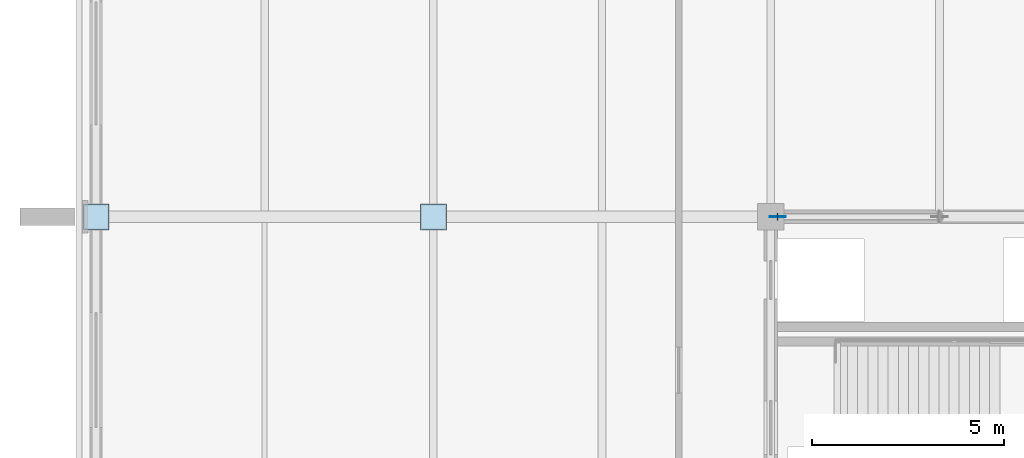
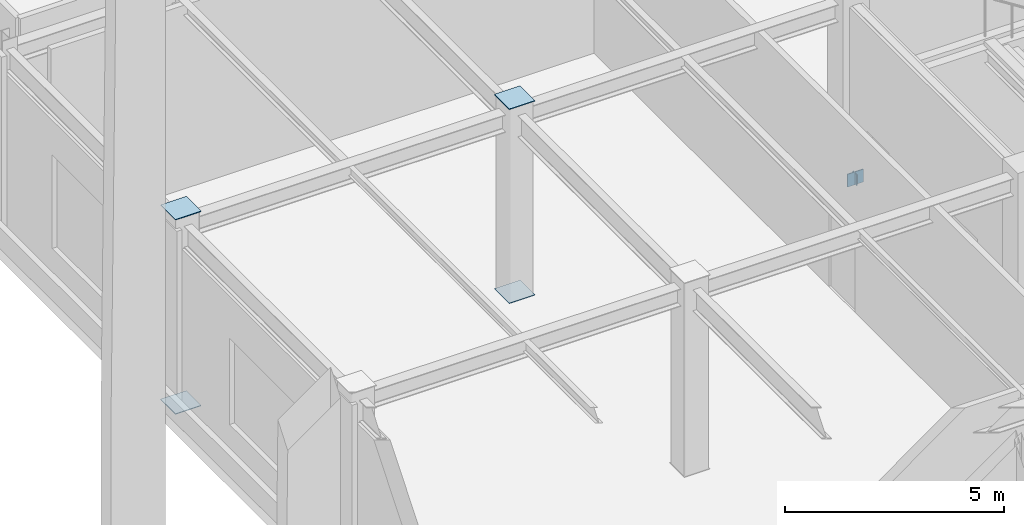
# One storey, part 78 of 119: 6 plates.
"""IFC4 building model written with IfcOpenShell, lengths in metres."""

import ifcopenshell
import ifcopenshell.guid

model = None  # the IFC model being written
_history = None  # IfcOwnerHistory: only IFC2X3 demands one
_inside = {}  # id of a spatial element -> (the spatial element, [elements in it])
_under = {}  # id of a project, library or spatial element -> (it, [spatial elements below it])
_declared = {}  # id of a project -> (the project, [libraries it declares])
_typed = {}  # id of a type object -> (the type object, [elements of that type])
_made_of = {}  # id of a material, layer set ... -> (it, [elements and type objects made of it])


def new_model(schema):
    """Start an empty IFC model of exactly this schema.

    Asked for "IFC4X3", IfcOpenShell would pick the latest addendum, in which some entities
    have other attributes; the version numbers below select the first issue.
    IFC2X3 requires an IfcOwnerHistory on every rooted entity: one is made here for all.
    """
    global model, _history
    if schema == "IFC4X3":
        model = ifcopenshell.file(schema_version=(4, 3, 0, 0))
    else:
        model = ifcopenshell.file(schema=schema)
    _inside.clear()
    _under.clear()
    _declared.clear()
    _typed.clear()
    _made_of.clear()
    _history = None
    if model.schema == "IFC2X3":
        org = make("IfcOrganization", Name="unknown")
        user = make(
            "IfcPersonAndOrganization",
            ThePerson=make("IfcPerson", FamilyName="unknown"),
            TheOrganization=org,
        )
        app = make(
            "IfcApplication",
            ApplicationDeveloper=org,
            Version="unknown",
            ApplicationFullName="unknown",
            ApplicationIdentifier="unknown",
        )
        _history = make(
            "IfcOwnerHistory",
            OwningUser=user,
            OwningApplication=app,
            ChangeAction="ADDED",
            CreationDate=0,
        )
    return model


def make(cls, **values):
    """One entity of the class cls with the attributes given. An attribute that is None is left unset."""
    return model.create_entity(
        cls, **{name: value for name, value in values.items() if value is not None}
    )


def rooted(cls, **values):
    """An entity with a GlobalId (a new one), such as an element, a storey or a relation."""
    return make(cls, GlobalId=ifcopenshell.guid.new(), OwnerHistory=_history, **values)


def si_unit(unit_type, name, prefix=None):
    """IfcSIUnit, for example si_unit("LENGTHUNIT", "METRE", prefix="MILLI")."""
    return make("IfcSIUnit", UnitType=unit_type, Prefix=prefix, Name=name)


def assignment(units):
    """IfcUnitAssignment: the units of a project."""
    return None if units is None else make("IfcUnitAssignment", Units=units)


def point(xyz):
    """IfcCartesianPoint."""
    return None if xyz is None else make("IfcCartesianPoint", Coordinates=xyz)


def direction(xyz):
    """IfcDirection."""
    return None if xyz is None else make("IfcDirection", DirectionRatios=xyz)


def frame(location, z_axis=None, x_axis=None):
    """IfcAxis2Placement3D, a coordinate frame: its origin and axes. An axis left out is left unset."""
    return make(
        "IfcAxis2Placement3D",
        Location=point(location),
        Axis=direction(z_axis),
        RefDirection=direction(x_axis),
    )


def frame_2d(location, x_axis=None):
    """IfcAxis2Placement2D, a coordinate frame in the plane: its origin and x axis."""
    return make(
        "IfcAxis2Placement2D", Location=point(location), RefDirection=direction(x_axis)
    )


def origin():
    """The frame at (0, 0, 0) with its axes left unset."""
    return frame((0.0, 0.0, 0.0))


def origin_2d():
    """The frame at (0, 0) in the plane with its x axis left unset."""
    return frame_2d((0.0, 0.0))


def place(relative_to, where):
    """IfcLocalPlacement: puts the frame where relative to a parent placement (None: the world)."""
    return make(
        "IfcLocalPlacement", PlacementRelTo=relative_to, RelativePlacement=where
    )


def context(
    kind, dimensions, precision=None, world=None, true_north=None, identifier=None
):
    """IfcGeometricRepresentationContext, for example the 3D "Model" context."""
    return make(
        "IfcGeometricRepresentationContext",
        ContextIdentifier=identifier,
        ContextType=kind,
        CoordinateSpaceDimension=dimensions,
        Precision=precision,
        WorldCoordinateSystem=world,
        TrueNorth=true_north,
    )


def subcontext(parent, identifier, kind, view, scale=None):
    """IfcGeometricRepresentationSubContext, for example "Body" below "Model"."""
    return make(
        "IfcGeometricRepresentationSubContext",
        ContextIdentifier=identifier,
        ContextType=kind,
        ParentContext=parent,
        TargetScale=scale,
        TargetView=view,
    )


def project(units=None, contexts=None):
    """IfcProject with its units and contexts."""
    return rooted(
        "IfcProject",
        Name="project",
        RepresentationContexts=contexts,
        UnitsInContext=assignment(units),
    )


def spatial(cls, under=None, at=None, **own):
    """A site, building, storey or space (cls), placed at a placement, below another one or the project."""
    s = rooted(cls, ObjectPlacement=at, **own)
    if under is not None:
        _under.setdefault(under.id(), (under, []))[1].append(s)
    return s


def profile(cls, at=None, kind="AREA", **sizes):
    """A parametric profile (cls). Its sizes go by their IFC names, for example OverallWidth=200.0."""
    return make(cls, ProfileType=kind, Position=at, **sizes)


def rectangle(**sizes):
    """IfcRectangleProfileDef."""
    return profile("IfcRectangleProfileDef", **sizes)


def extrude(swept, where, along, depth):
    """IfcExtrudedAreaSolid: the profile swept, set in the frame where, extruded along a direction by depth."""
    return make(
        "IfcExtrudedAreaSolid",
        SweptArea=swept,
        Position=where,
        ExtrudedDirection=direction(along),
        Depth=depth,
    )


def shape(context_of_items, identifier, shape_type, items):
    """IfcShapeRepresentation: the items that make up one representation, for example the "Body"."""
    return make(
        "IfcShapeRepresentation",
        ContextOfItems=context_of_items,
        RepresentationIdentifier=identifier,
        RepresentationType=shape_type,
        Items=items,
    )


def material(Name=None, Category=None):
    """IfcMaterial."""
    return make("IfcMaterial", Name=Name, Category=Category)


def layer(
    of_material, thickness, ventilated=None, Name=None, Category=None, Priority=None
):
    """IfcMaterialLayer: one layer of a wall or slab, of a material (None: an air gap)."""
    return make(
        "IfcMaterialLayer",
        Material=of_material,
        LayerThickness=thickness,
        IsVentilated=ventilated,
        Name=Name,
        Category=Category,
        Priority=Priority,
    )


def layer_set(layers, Name=None):
    """IfcMaterialLayerSet."""
    return make("IfcMaterialLayerSet", MaterialLayers=layers, LayerSetName=Name)


def made_of(thing, what):
    """Note that an element or type object is made of a material, layer set ...; save() writes the relation."""
    if what is not None:
        _made_of.setdefault(what.id(), (what, []))[1].append(thing)
    return thing


def type_object(cls, material=None, **own):
    """A type object (cls), such as IfcWallType, which elements share."""
    return made_of(rooted(cls, **own), material)


def element(
    cls,
    number,
    at=None,
    inside=None,
    cuts=None,
    type_object=None,
    material=None,
    context=None,
    identifier="Body",
    shape_type=None,
    held_by="IfcProductDefinitionShape",
    body=None,
    shapes=None,
    **own,
):
    """One element of the class cls, such as IfcWall. Its Tag is "e" and its number.

    at: its placement. inside: the storey or other place that contains it. cuts: it is an
    opening in that element (IfcRelVoidsElement). A single representation is given by context,
    identifier, shape_type and body (its items); several are given by shapes. held_by: the class
    of the entity that holds the representations. save() writes the other relations.
    """
    e = rooted(cls, Tag="e%d" % number, ObjectPlacement=at, **own)
    if body is not None:
        shapes = [shape(context, identifier, shape_type, body)]
    if shapes is not None:
        e.Representation = make(held_by, Representations=shapes)
    if inside is not None:
        _inside.setdefault(inside.id(), (inside, []))[1].append(e)
    if cuts is not None:
        rooted(
            "IfcRelVoidsElement", RelatingBuildingElement=cuts, RelatedOpeningElement=e
        )
    if type_object is not None:
        _typed.setdefault(type_object.id(), (type_object, []))[1].append(e)
    return made_of(e, material)


def aggregate(whole, parts):
    """IfcRelAggregates: a whole, such as a stair, and the parts it consists of."""
    return rooted("IfcRelAggregates", RelatingObject=whole, RelatedObjects=parts)


def save(model, path):
    """Write the relations noted so far, then the file.

    IfcRelAggregates (storeys below a building ...), IfcRelContainedInSpatialStructure (elements
    in a storey), IfcRelDefinesByType, IfcRelAssociatesMaterial and IfcRelDeclares: one each for
    every whole, place, type object, material and project.
    """
    for whole, parts in _under.values():
        aggregate(whole, parts)
    for where, things in _inside.values():
        rooted(
            "IfcRelContainedInSpatialStructure",
            RelatedElements=things,
            RelatingStructure=where,
        )
    for kind, things in _typed.values():
        rooted("IfcRelDefinesByType", RelatedObjects=things, RelatingType=kind)
    for what, things in _made_of.values():
        rooted("IfcRelAssociatesMaterial", RelatedObjects=things, RelatingMaterial=what)
    for by, libraries in _declared.values():
        rooted("IfcRelDeclares", RelatingContext=by, RelatedDefinitions=libraries)
    model.write(path)


model = new_model("IFC4")

# Units and contexts
model_context = context("Model", 3, precision=1e-05, world=origin(), true_north=direction((0.0, 1.0)))
body_context = subcontext(model_context, "Body", "Model", "MODEL_VIEW")
ifc_project = project(units=[si_unit("LENGTHUNIT", "METRE"), si_unit("AREAUNIT", "SQUARE_METRE"), si_unit("VOLUMEUNIT", "CUBIC_METRE"), si_unit("PLANEANGLEUNIT", "RADIAN"), si_unit("MASSUNIT", "GRAM", prefix="KILO")], contexts=[model_context])

# Site, building, storey
site_placement = place(None, origin())
site = spatial("IfcSite", under=ifc_project, at=site_placement, CompositionType="ELEMENT")
building_placement = place(site_placement, origin())
building = spatial("IfcBuilding", under=site, at=building_placement, Name="Zhaolan Boulevard Law Courts", CompositionType="ELEMENT")
storey_placement = place(building_placement, origin())
storey = spatial("IfcBuildingStorey", under=building, at=storey_placement, Name="L00", CompositionType="ELEMENT", Elevation=0.0)

# Plates
ifc_material_1 = material(Name="Structural steel Q355B", Category="steel")
ifc_layer_1 = layer(ifc_material_1, 0.02392578125)
ifc_layer_set_1 = layer_set([ifc_layer_1])
plate_type_1 = type_object("IfcPlateType", Name="BRACE GUSSET PLATE 24", PredefinedType="SHEET", material=ifc_layer_set_1)
plate_1_placement = place(storey_placement, frame((17.780029296875, 70.0, -0.14990234375), z_axis=(0.0, 0.0, 1.0), x_axis=(1.0, 0.0, 0.0)))
element("IfcPlate", 1, at=plate_1_placement, inside=storey, type_object=plate_type_1, Name="Brace Gusset Connection Plate GP-W2-L00-NA1", PredefinedType="SHEET", context=body_context, shape_type="SweptSolid", body=[
    extrude(rectangle(XDim=0.419921875, YDim=0.02392578125, at=origin_2d()), origin(), (0.0, 0.0, 1.0), 0.360107421875),
])
ifc_material_2 = material(Name="Structural steel Q355B", Category="steel")
ifc_layer_2 = layer(ifc_material_2, 0.02001953125)
ifc_layer_set_2 = layer_set([ifc_layer_2])
plate_type_2 = type_object("IfcPlateType", Name="END CAP PLATE 20", PredefinedType="SHEET", material=ifc_layer_set_2)
for number, where, z_axis, x_axis, name in (
    (2, (0.0, 70.0, -0.01806640625), (0.0, 0.0, 1.0), (1.0, 0.0, 0.0), "Hollow Section End-Cap Plate ECP-0111"),
    (3, (0.0, 70.0, 5.39794921875), (0.0, 0.0, 1.0), (1.0, 0.0, 0.0), "Hollow Section End-Cap Plate ECP-0112"),
    (4, (8.800048828125, 70.0, -0.01806640625), (0.0, 0.0, 1.0), (1.0, 0.0, 0.0), "Hollow Section End-Cap Plate ECP-0245"),
    (5, (8.800048828125, 70.0, 5.39794921875), (0.0, 0.0, 1.0), (1.0, 0.0, 0.0), "Hollow Section End-Cap Plate ECP-0246"),
):
    element("IfcPlate", number, at=place(storey_placement, frame(where, z_axis=z_axis, x_axis=x_axis)), inside=storey, type_object=plate_type_2, Name=name, PredefinedType="SHEET", context=body_context, shape_type="SweptSolid", body=[
        extrude(rectangle(XDim=0.679931640625, YDim=0.679931640625, at=origin_2d()), origin(), (0.0, 0.0, 1.0), 0.02001953125),
    ])
plate_2_placement = place(storey_placement, frame((17.77490234375, 70.0, -0.12548828125), z_axis=(0.0, 0.0, 1.0), x_axis=(1.0, 0.0, 0.0)))
element("IfcPlate", 6, at=plate_2_placement, inside=storey, type_object=plate_type_2, Name="Hollow Section End-Cap Plate ECP-1143", PredefinedType="SHEET", context=body_context, shape_type="SweptSolid", body=[
    extrude(rectangle(XDim=0.02001953125, YDim=0.18994140625, at=origin_2d()), origin(), (0.0, 0.0, 1.0), 0.298095703125),
])

save(model, "model.ifc")
